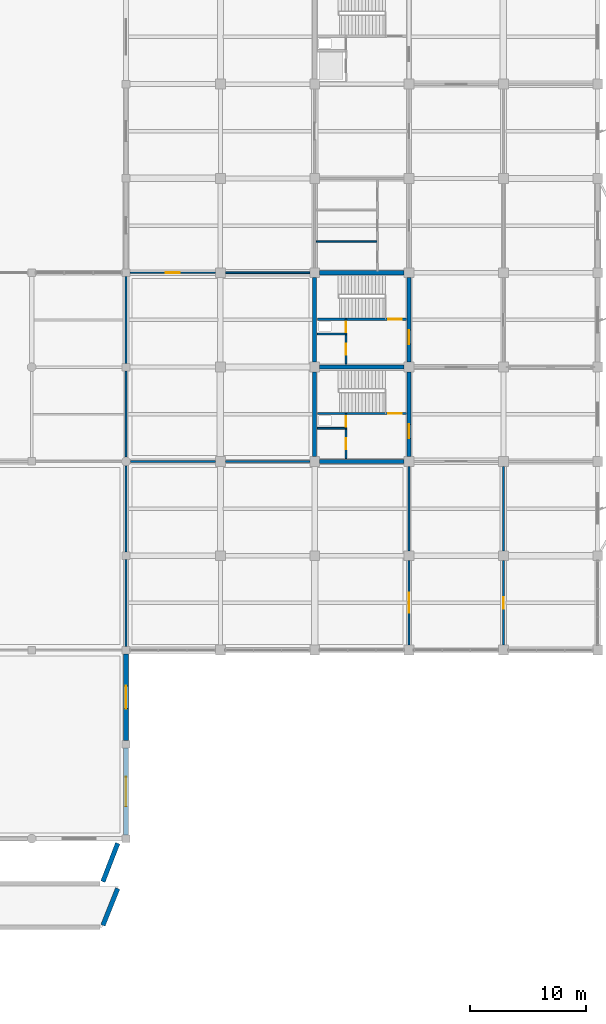
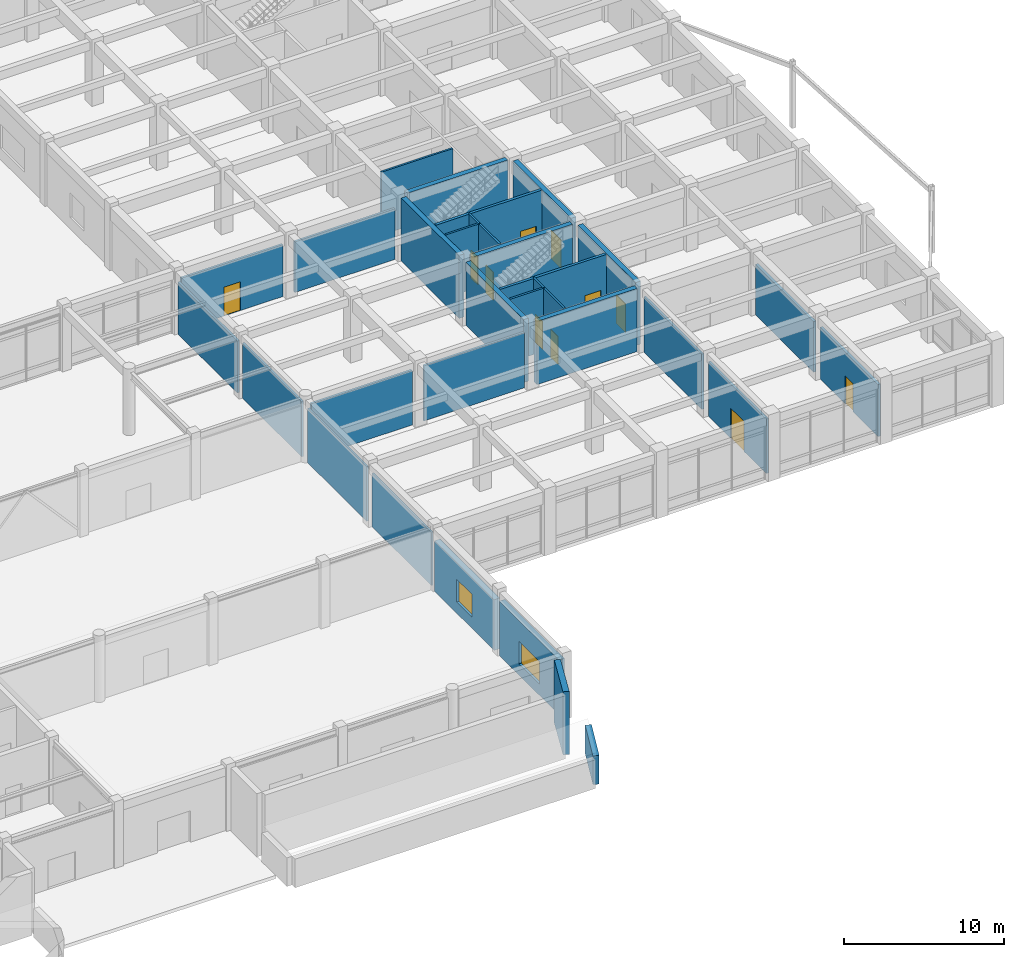
# One storey, part 68 of 99: 32 walls, 11 doors, 2 windows, 13 openings.
"""IFC4 building model written with IfcOpenShell, lengths in metres."""

from ifc_helpers import new_model, si_unit, direction, frame, frame_2d, origin, place, context, subcontext, project, spatial, rectangle, extrude, material, layer, layer_set, type_object, element, fill, save


model = new_model("IFC4")

# Units and contexts
model_context = context("Model", 3, precision=1e-05, world=origin(), true_north=direction((0.0, 1.0)))
body_context = subcontext(model_context, "Body", "Model", "MODEL_VIEW")
ifc_project = project(units=[si_unit("LENGTHUNIT", "METRE"), si_unit("AREAUNIT", "SQUARE_METRE"), si_unit("VOLUMEUNIT", "CUBIC_METRE"), si_unit("PLANEANGLEUNIT", "RADIAN"), si_unit("MASSUNIT", "GRAM", prefix="KILO")], contexts=[model_context])

# Site, building, storey
site_placement = place(None, origin())
site = spatial("IfcSite", under=ifc_project, at=site_placement, CompositionType="ELEMENT")
building_placement = place(site_placement, origin())
building = spatial("IfcBuilding", under=site, at=building_placement, Name="Vaudrelin Polytechnic", CompositionType="ELEMENT")
storey_placement = place(building_placement, origin())
storey = spatial("IfcBuildingStorey", under=building, at=storey_placement, Name="L00", CompositionType="ELEMENT", Elevation=0.0)

# Wall, opening, window
ifc_material_1 = material(Name="Concrete 35 MPa", Category="concrete")
ifc_layer_1 = layer(ifc_material_1, 0.39990234375)
ifc_layer_set_1 = layer_set([ifc_layer_1], Name="Concrete 35 MPa")
wall_type_1 = type_object("IfcWallType", Name="WAL-EW-BERM400", PredefinedType="STANDARD", material=ifc_layer_set_1)
wall_1_placement = place(storey_placement, frame((129.60009765625, 0.322998046875, 0.0), z_axis=(0.0, 0.0, 1.0), x_axis=(0.0, 1.0, 0.0)))
wall_1 = element("IfcWall", 1, at=wall_1_placement, inside=storey, type_object=wall_type_1, Name="Exterior wall L00 E_V3_00", PredefinedType="STANDARD", context=body_context, shape_type="SweptSolid", body=[
    extrude(rectangle(XDim=7.4541015625, YDim=0.39990234375, at=frame_2d((3.72705078125, 0.0))), origin(), (0.0, 0.0, 1.0), 4.172119140625),
])
opening_1_placement = place(wall_1_placement, frame((2.451904296875, 0.0, 0.85009765625)))
opening_1 = element("IfcOpeningElement", 2, at=opening_1_placement, cuts=wall_1, Name="Opening W-L00-E-V3-01", PredefinedType="OPENING", context=body_context, shape_type="SweptSolid", body=[
    extrude(rectangle(XDim=2.550048828125, YDim=1.75, at=frame_2d((1.27490234375, 0.875))), frame((0.0, 0.2099609375, 0.0), z_axis=(0.0, -1.0, 0.0), x_axis=(1.0, 0.0, 0.0)), (0.0, 0.0, 1.0), 0.419921875),
])
ifc_material_2 = material(Name="Thermally broken aluminium frame with triple low-e glazing", Category="aluminium")
window_type_1 = type_object("IfcWindowType", Name="WIN-WN-16", PartitioningType="SINGLE_PANEL", PredefinedType="WINDOW", material=ifc_material_2)
window_1_placement = place(opening_1_placement, origin())
window_1 = element("IfcWindow", 3, at=window_1_placement, inside=storey, type_object=window_type_1, Name="Facade window L00-E_V3_00", OverallHeight=1.75, OverallWidth=2.550048828125, PartitioningType="SINGLE_PANEL", PredefinedType="WINDOW", context=body_context, shape_type="SweptSolid", body=[
    extrude(rectangle(XDim=2.550048828125, YDim=1.75, at=frame_2d((1.27490234375, 0.875))), frame((0.0, 0.030029296875, 0.0), z_axis=(0.0, -1.0, 0.0), x_axis=(1.0, 0.0, 0.0)), (0.0, 0.0, 1.0), 0.06005859375),
])
fill(opening_1, window_1)

wall_2_placement = place(storey_placement, frame((129.60009765625, 8.423095703125, 0.0), z_axis=(0.0, 0.0, 1.0), x_axis=(0.0, 1.0, 0.0)))
wall_2 = element("IfcWall", 4, at=wall_2_placement, inside=storey, type_object=wall_type_1, Name="Exterior wall L00 E_V3_01", PredefinedType="STANDARD", context=body_context, shape_type="SweptSolid", body=[
    extrude(rectangle(XDim=7.453857421875, YDim=0.39990234375, at=frame_2d((3.72705078125, 0.0))), origin(), (0.0, 0.0, 1.0), 3.8720703125),
])
opening_2_placement = place(wall_2_placement, frame((2.751953125, 0.0, 0.85009765625)))
opening_2 = element("IfcOpeningElement", 5, at=opening_2_placement, cuts=wall_2, Name="Opening W-L00-E-V3-02", PredefinedType="OPENING", context=body_context, shape_type="SweptSolid", body=[
    extrude(rectangle(XDim=1.949951171875, YDim=1.75, at=frame_2d((0.97509765625, 0.875))), frame((0.0, 0.2099609375, 0.0), z_axis=(0.0, -1.0, 0.0), x_axis=(1.0, 0.0, 0.0)), (0.0, 0.0, 1.0), 0.419921875),
])
window_type_2 = type_object("IfcWindowType", Name="WIN-WN-17", PartitioningType="SINGLE_PANEL", PredefinedType="WINDOW", material=ifc_material_2)
window_2_placement = place(opening_2_placement, origin())
window_2 = element("IfcWindow", 6, at=window_2_placement, inside=storey, type_object=window_type_2, Name="Facade window L00-E_V3_01", OverallHeight=1.75, OverallWidth=1.949951171875, PartitioningType="SINGLE_PANEL", PredefinedType="WINDOW", context=body_context, shape_type="SweptSolid", body=[
    extrude(rectangle(XDim=1.949951171875, YDim=1.75, at=frame_2d((0.97509765625, 0.875))), frame((0.0, 0.030029296875, 0.0), z_axis=(0.0, -1.0, 0.0), x_axis=(1.0, 0.0, 0.0)), (0.0, 0.0, 1.0), 0.06005859375),
])
fill(opening_2, window_2)

# Wall, opening, door
ifc_material_3 = material(Name="Acoustic double-stud gypsum & mineral-wool partition", Category="gypsum")
ifc_layer_2 = layer(ifc_material_3, 0.179931640625)
ifc_layer_set_2 = layer_set([ifc_layer_2], Name="Acoustic double-stud gypsum & mineral-wool partition")
wall_type_2 = type_object("IfcWallType", Name="WAL-PW-AC180", PredefinedType="PARTITIONING", material=ifc_layer_set_2)
wall_3_placement = place(storey_placement, frame((162.0, 16.623046875, 0.0), z_axis=(0.0, 0.0, 1.0), x_axis=(0.0, 1.0, 0.0)))
wall_3 = element("IfcWall", 7, at=wall_3_placement, inside=storey, type_object=wall_type_2, Name="Partition L00-033 W", PredefinedType="PARTITIONING", context=body_context, shape_type="SweptSolid", body=[
    extrude(rectangle(XDim=7.25390625, YDim=0.179931640625, at=frame_2d((3.626953125, 0.0))), origin(), (0.0, 0.0, 1.0), 3.971923828125),
])
opening_3_placement = place(wall_3_placement, frame((3.126953125, 0.0, 0.0)))
opening_3 = element("IfcOpeningElement", 8, at=opening_3_placement, cuts=wall_3, Name="Opening D-L00-441", PredefinedType="OPENING", context=body_context, shape_type="SweptSolid", body=[
    extrude(rectangle(XDim=1.0, YDim=2.14990234375, at=frame_2d((0.5, 1.074951171875))), frame((0.0, 0.10009765625, 0.0), z_axis=(0.0, -1.0, 0.0), x_axis=(1.0, 0.0, 0.0)), (0.0, 0.0, 1.0), 0.199951171875),
])
ifc_material_4 = material(Name="Solid-core birch veneer acoustic leaf", Category="wood")
door_type_1 = type_object("IfcDoorType", Name="DOR-ID-SEM1", OperationType="NOTDEFINED", PredefinedType="DOOR", material=ifc_material_4)
door_1_placement = place(opening_3_placement, origin())
door_1 = element("IfcDoor", 9, at=door_1_placement, inside=storey, type_object=door_type_1, Name="Seminar Room 003 door L00-033", OperationType="SINGLE_SWING_RIGHT", OverallHeight=2.14990234375, OverallWidth=1.0, PredefinedType="DOOR", context=body_context, shape_type="SweptSolid", body=[
    extrude(rectangle(XDim=1.0, YDim=2.14990234375, at=frame_2d((0.5, 1.074951171875))), frame((0.0, 0.02490234375, 0.0), z_axis=(0.0, -1.0, 0.0), x_axis=(1.0, 0.0, 0.0)), (0.0, 0.0, 1.0), 0.050048828125),
])
fill(opening_3, door_1)

# Wall
wall_4_placement = place(storey_placement, frame((162.0, 24.722900390625, 0.0), z_axis=(0.0, 0.0, 1.0), x_axis=(0.0, 1.0, 0.0)))
element("IfcWall", 10, at=wall_4_placement, inside=storey, type_object=wall_type_2, Name="Partition L00-033 W", PredefinedType="PARTITIONING", context=body_context, shape_type="SweptSolid", body=[
    extrude(rectangle(XDim=7.254150390625, YDim=0.179931640625, at=frame_2d((3.626953125, 0.0))), origin(), (0.0, 0.0, 1.0), 3.8720703125),
])

# Wall, opening, door
ifc_material_5 = material(Name="Fire-rated steel-stud gypsum compartment wall", Category="steel")
ifc_layer_3 = layer(ifc_material_5, 0.14990234375)
ifc_layer_set_3 = layer_set([ifc_layer_3], Name="Fire-rated steel-stud gypsum compartment wall")
wall_type_3 = type_object("IfcWallType", Name="WAL-PW-FIRE60", PredefinedType="PARTITIONING", material=ifc_layer_set_3)
wall_5_placement = place(storey_placement, frame((148.47998046875, 35.25, 0.0), z_axis=(0.0, 0.0, 1.0), x_axis=(0.0, 1.0, 0.0)))
wall_5 = element("IfcWall", 11, at=wall_5_placement, inside=storey, type_object=wall_type_3, Name="Core C8 riser enclosure wall L00", PredefinedType="PARTITIONING", context=body_context, shape_type="SweptSolid", body=[
    extrude(rectangle(XDim=1.260009765625, YDim=0.14990234375, at=frame_2d((0.6298828125, 0.0))), origin(), (0.0, 0.0, 1.0), 4.822021484375),
])
opening_4_placement = place(wall_5_placement, frame((0.139892578125, 0.0, 0.0)))
opening_4 = element("IfcOpeningElement", 12, at=opening_4_placement, cuts=wall_5, Name="Opening D-L00-144", PredefinedType="OPENING", context=body_context, shape_type="SweptSolid", body=[
    extrude(rectangle(XDim=0.89990234375, YDim=2.14990234375, at=frame_2d((0.449951171875, 1.074951171875))), frame((0.0, 0.0849609375, 0.0), z_axis=(0.0, -1.0, 0.0), x_axis=(1.0, 0.0, 0.0)), (0.0, 0.0, 1.0), 0.169921875),
])
ifc_material_6 = material(Name="Pressed galvanised steel acoustic leaf", Category="steel")
door_type_2 = type_object("IfcDoorType", Name="DOR-ID-RSR1", OperationType="NOTDEFINED", PredefinedType="DOOR", material=ifc_material_6)
door_2_placement = place(opening_4_placement, origin())
door_2 = element("IfcDoor", 13, at=door_2_placement, inside=storey, type_object=door_type_2, Name="Core C8 riser access door L00", OperationType="SINGLE_SWING_RIGHT", OverallHeight=2.14990234375, OverallWidth=0.89990234375, PredefinedType="DOOR", context=body_context, shape_type="SweptSolid", body=[
    extrude(rectangle(XDim=0.89990234375, YDim=2.14990234375, at=frame_2d((0.449951171875, 1.074951171875))), frame((0.0, 0.02490234375, 0.0), z_axis=(0.0, -1.0, 0.0), x_axis=(1.0, 0.0, 0.0)), (0.0, 0.0, 1.0), 0.050048828125),
])
fill(opening_4, door_2)

# Wall
wall_6_placement = place(storey_placement, frame((146.02001953125, 35.25, 0.0), z_axis=(0.0, 0.0, 1.0), x_axis=(1.0, 0.0, 0.0)))
element("IfcWall", 14, at=wall_6_placement, inside=storey, type_object=wall_type_3, Name="Core C8 riser south fire wall L00", PredefinedType="PARTITIONING", context=body_context, shape_type="SweptSolid", body=[
    extrude(rectangle(XDim=2.530029296875, YDim=0.14990234375, at=frame_2d((1.26513671875, 0.0))), origin(), (0.0, 0.0, 1.0), 4.822021484375),
])

# Wall, opening, door
wall_7_placement = place(storey_placement, frame((148.47998046875, 32.64990234375, 0.0), z_axis=(0.0, 0.0, 1.0), x_axis=(0.0, 1.0, 0.0)))
wall_7 = element("IfcWall", 15, at=wall_7_placement, inside=storey, type_object=wall_type_3, Name="Core C8 custodial enclosure wall L00", PredefinedType="PARTITIONING", context=body_context, shape_type="SweptSolid", body=[
    extrude(rectangle(XDim=2.60009765625, YDim=0.14990234375, at=frame_2d((1.300048828125, 0.0))), origin(), (0.0, 0.0, 1.0), 4.822021484375),
])
opening_5_placement = place(wall_7_placement, frame((0.800048828125, 0.0, 0.0)))
opening_5 = element("IfcOpeningElement", 16, at=opening_5_placement, cuts=wall_7, Name="Opening D-L00-145", PredefinedType="OPENING", context=body_context, shape_type="SweptSolid", body=[
    extrude(rectangle(XDim=0.949951171875, YDim=2.14990234375, at=frame_2d((0.47509765625, 1.074951171875))), frame((0.0, 0.0849609375, 0.0), z_axis=(0.0, -1.0, 0.0), x_axis=(1.0, 0.0, 0.0)), (0.0, 0.0, 1.0), 0.169921875),
])
door_type_3 = type_object("IfcDoorType", Name="DOR-ID-STR1", OperationType="NOTDEFINED", PredefinedType="DOOR", material=ifc_material_6)
door_3_placement = place(opening_5_placement, origin())
door_3 = element("IfcDoor", 17, at=door_3_placement, inside=storey, type_object=door_type_3, Name="Core C8 custodial door L00", OperationType="SINGLE_SWING_RIGHT", OverallHeight=2.14990234375, OverallWidth=0.949951171875, PredefinedType="DOOR", context=body_context, shape_type="SweptSolid", body=[
    extrude(rectangle(XDim=0.949951171875, YDim=2.14990234375, at=frame_2d((0.47509765625, 1.074951171875))), frame((0.0, 0.02490234375, 0.0), z_axis=(0.0, -1.0, 0.0), x_axis=(1.0, 0.0, 0.0)), (0.0, 0.0, 1.0), 0.050048828125),
])
fill(opening_5, door_3)

wall_8_placement = place(storey_placement, frame((148.47998046875, 43.35009765625, 0.0), z_axis=(0.0, 0.0, 1.0), x_axis=(0.0, 1.0, 0.0)))
wall_8 = element("IfcWall", 18, at=wall_8_placement, inside=storey, type_object=wall_type_3, Name="Core C12 riser enclosure wall L00", PredefinedType="PARTITIONING", context=body_context, shape_type="SweptSolid", body=[
    extrude(rectangle(XDim=1.260009765625, YDim=0.14990234375, at=frame_2d((0.6298828125, 0.0))), origin(), (0.0, 0.0, 1.0), 4.822021484375),
])
opening_6_placement = place(wall_8_placement, frame((0.139892578125, 0.0, 0.0)))
opening_6 = element("IfcOpeningElement", 19, at=opening_6_placement, cuts=wall_8, Name="Opening D-L00-267", PredefinedType="OPENING", context=body_context, shape_type="SweptSolid", body=[
    extrude(rectangle(XDim=0.89990234375, YDim=2.14990234375, at=frame_2d((0.449951171875, 1.074951171875))), frame((0.0, 0.0849609375, 0.0), z_axis=(0.0, -1.0, 0.0), x_axis=(1.0, 0.0, 0.0)), (0.0, 0.0, 1.0), 0.169921875),
])
door_4_placement = place(opening_6_placement, origin())
door_4 = element("IfcDoor", 20, at=door_4_placement, inside=storey, type_object=door_type_2, Name="Core C12 riser access door L00", OperationType="SINGLE_SWING_RIGHT", OverallHeight=2.14990234375, OverallWidth=0.89990234375, PredefinedType="DOOR", context=body_context, shape_type="SweptSolid", body=[
    extrude(rectangle(XDim=0.89990234375, YDim=2.14990234375, at=frame_2d((0.449951171875, 1.074951171875))), frame((0.0, 0.02490234375, 0.0), z_axis=(0.0, -1.0, 0.0), x_axis=(1.0, 0.0, 0.0)), (0.0, 0.0, 1.0), 0.050048828125),
])
fill(opening_6, door_4)

# Wall
wall_9_placement = place(storey_placement, frame((146.02001953125, 43.35009765625, 0.0), z_axis=(0.0, 0.0, 1.0), x_axis=(1.0, 0.0, 0.0)))
element("IfcWall", 21, at=wall_9_placement, inside=storey, type_object=wall_type_3, Name="Core C12 riser south fire wall L00", PredefinedType="PARTITIONING", context=body_context, shape_type="SweptSolid", body=[
    extrude(rectangle(XDim=2.530029296875, YDim=0.14990234375, at=frame_2d((1.26513671875, 0.0))), origin(), (0.0, 0.0, 1.0), 4.822021484375),
])

# Wall, opening, door
wall_10_placement = place(storey_placement, frame((148.47998046875, 40.75, 0.0), z_axis=(0.0, 0.0, 1.0), x_axis=(0.0, 1.0, 0.0)))
wall_10 = element("IfcWall", 22, at=wall_10_placement, inside=storey, type_object=wall_type_3, Name="Core C12 custodial enclosure wall L00", PredefinedType="PARTITIONING", context=body_context, shape_type="SweptSolid", body=[
    extrude(rectangle(XDim=2.60009765625, YDim=0.14990234375, at=frame_2d((1.300048828125, 0.0))), origin(), (0.0, 0.0, 1.0), 4.822021484375),
])
opening_7_placement = place(wall_10_placement, frame((0.800048828125, 0.0, 0.0)))
opening_7 = element("IfcOpeningElement", 23, at=opening_7_placement, cuts=wall_10, Name="Opening D-L00-268", PredefinedType="OPENING", context=body_context, shape_type="SweptSolid", body=[
    extrude(rectangle(XDim=0.949951171875, YDim=2.14990234375, at=frame_2d((0.47509765625, 1.074951171875))), frame((0.0, 0.0849609375, 0.0), z_axis=(0.0, -1.0, 0.0), x_axis=(1.0, 0.0, 0.0)), (0.0, 0.0, 1.0), 0.169921875),
])
door_5_placement = place(opening_7_placement, origin())
door_5 = element("IfcDoor", 24, at=door_5_placement, inside=storey, type_object=door_type_3, Name="Core C12 custodial door L00", OperationType="SINGLE_SWING_RIGHT", OverallHeight=2.14990234375, OverallWidth=0.949951171875, PredefinedType="DOOR", context=body_context, shape_type="SweptSolid", body=[
    extrude(rectangle(XDim=0.949951171875, YDim=2.14990234375, at=frame_2d((0.47509765625, 1.074951171875))), frame((0.0, 0.02490234375, 0.0), z_axis=(0.0, -1.0, 0.0), x_axis=(1.0, 0.0, 0.0)), (0.0, 0.0, 1.0), 0.050048828125),
])
fill(opening_7, door_5)

ifc_material_7 = material(Name="Moisture- and chemical-resistant laboratory partition", Category="gypsum")
ifc_layer_4 = layer(ifc_material_7, 0.159912109375)
ifc_layer_set_4 = layer_set([ifc_layer_4], Name="Moisture- and chemical-resistant laboratory partition")
wall_type_4 = type_object("IfcWallType", Name="WAL-PW-LAB160", PredefinedType="PARTITIONING", material=ifc_layer_set_4)
wall_11_placement = place(storey_placement, frame((153.89990234375, 16.623046875, 0.0), z_axis=(0.0, 0.0, 1.0), x_axis=(0.0, 1.0, 0.0)))
wall_11 = element("IfcWall", 25, at=wall_11_placement, inside=storey, type_object=wall_type_4, Name="Partition L00-020 E", PredefinedType="PARTITIONING", context=body_context, shape_type="SweptSolid", body=[
    extrude(rectangle(XDim=7.25390625, YDim=0.159912109375, at=frame_2d((3.626953125, 0.0))), origin(), (0.0, 0.0, 1.0), 4.172119140625),
])
opening_8_placement = place(wall_11_placement, frame((2.76708984375, 0.0, 0.0)))
opening_8 = element("IfcOpeningElement", 26, at=opening_8_placement, cuts=wall_11, Name="Opening D-L00-435", PredefinedType="OPENING", context=body_context, shape_type="SweptSolid", body=[
    extrude(rectangle(XDim=1.719970703125, YDim=2.300048828125, at=frame_2d((0.85986328125, 1.14990234375))), frame((0.0, 0.08984375, 0.0), z_axis=(0.0, -1.0, 0.0), x_axis=(1.0, 0.0, 0.0)), (0.0, 0.0, 1.0), 0.179931640625),
])
door_type_4 = type_object("IfcDoorType", Name="DOR-ID-LAB5", OperationType="NOTDEFINED", PredefinedType="DOOR", material=ifc_material_6)
door_6_placement = place(opening_8_placement, origin())
door_6 = element("IfcDoor", 27, at=door_6_placement, inside=storey, type_object=door_type_4, Name="Fluid Mechanics and Hydraulics Laboratory door L00-020", OperationType="DOUBLE_SWING_LEFT", OverallHeight=2.300048828125, OverallWidth=1.719970703125, PredefinedType="DOOR", context=body_context, shape_type="SweptSolid", body=[
    extrude(rectangle(XDim=1.719970703125, YDim=2.300048828125, at=frame_2d((0.85986328125, 1.14990234375))), frame((0.0, 0.02490234375, 0.0), z_axis=(0.0, -1.0, 0.0), x_axis=(1.0, 0.0, 0.0)), (0.0, 0.0, 1.0), 0.050048828125),
])
fill(opening_8, door_6)

# Walls
wall_12_placement = place(storey_placement, frame((153.89990234375, 24.722900390625, 0.0), z_axis=(0.0, 0.0, 1.0), x_axis=(0.0, 1.0, 0.0)))
element("IfcWall", 28, at=wall_12_placement, inside=storey, type_object=wall_type_4, Name="Partition L00-020 E", PredefinedType="PARTITIONING", context=body_context, shape_type="SweptSolid", body=[
    extrude(rectangle(XDim=7.254150390625, YDim=0.159912109375, at=frame_2d((3.626953125, 0.0))), origin(), (0.0, 0.0, 1.0), 4.221923828125),
])
wall_13_placement = place(storey_placement, frame((129.972900390625, 32.39990234375, 0.0), z_axis=(0.0, 0.0, 1.0), x_axis=(1.0, 0.0, 0.0)))
element("IfcWall", 29, at=wall_13_placement, inside=storey, type_object=wall_type_4, Name="Partition L00-020 N", PredefinedType="PARTITIONING", context=body_context, shape_type="SweptSolid", body=[
    extrude(rectangle(XDim=7.30419921875, YDim=0.159912109375, at=frame_2d((3.652099609375, 0.0))), origin(), (0.0, 0.0, 1.0), 4.172119140625),
])
wall_14_placement = place(storey_placement, frame((138.123046875, 32.39990234375, 0.0), z_axis=(0.0, 0.0, 1.0), x_axis=(1.0, 0.0, 0.0)))
element("IfcWall", 30, at=wall_14_placement, inside=storey, type_object=wall_type_4, Name="Partition L00-020 N", PredefinedType="PARTITIONING", context=body_context, shape_type="SweptSolid", body=[
    extrude(rectangle(XDim=7.25390625, YDim=0.159912109375, at=frame_2d((3.626953125, 0.0))), origin(), (0.0, 0.0, 1.0), 4.221923828125),
])

# Wall, opening, door
wall_15_placement = place(storey_placement, frame((129.923095703125, 48.60009765625, 0.0), z_axis=(0.0, 0.0, 1.0), x_axis=(1.0, 0.0, 0.0)))
wall_15 = element("IfcWall", 31, at=wall_15_placement, inside=storey, type_object=wall_type_4, Name="Partition L00-021 N", PredefinedType="PARTITIONING", context=body_context, shape_type="SweptSolid", body=[
    extrude(rectangle(XDim=7.35400390625, YDim=0.159912109375, at=frame_2d((3.677001953125, 0.0))), origin(), (0.0, 0.0, 1.0), 3.971923828125),
])
opening_9_placement = place(wall_15_placement, frame((3.076904296875, 0.0, 0.0)))
opening_9 = element("IfcOpeningElement", 32, at=opening_9_placement, cuts=wall_15, Name="Opening D-L00-436", PredefinedType="OPENING", context=body_context, shape_type="SweptSolid", body=[
    extrude(rectangle(XDim=1.199951171875, YDim=2.199951171875, at=frame_2d((0.60009765625, 1.10009765625))), frame((0.0, 0.08984375, 0.0), z_axis=(0.0, -1.0, 0.0), x_axis=(1.0, 0.0, 0.0)), (0.0, 0.0, 1.0), 0.179931640625),
])
door_type_5 = type_object("IfcDoorType", Name="DOR-ID-LAB2", OperationType="NOTDEFINED", PredefinedType="DOOR", material=ifc_material_6)
door_7_placement = place(opening_9_placement, origin())
door_7 = element("IfcDoor", 33, at=door_7_placement, inside=storey, type_object=door_type_5, Name="Hydraulics Instrumentation Room door L00-021", OperationType="SINGLE_SWING_RIGHT", OverallHeight=2.199951171875, OverallWidth=1.199951171875, PredefinedType="DOOR", context=body_context, shape_type="SweptSolid", body=[
    extrude(rectangle(XDim=1.199951171875, YDim=2.199951171875, at=frame_2d((0.60009765625, 1.10009765625))), frame((0.0, 0.02490234375, 0.0), z_axis=(0.0, -1.0, 0.0), x_axis=(1.0, 0.0, 0.0)), (0.0, 0.0, 1.0), 0.050048828125),
])
fill(opening_9, door_7)

# Walls
wall_16_placement = place(storey_placement, frame((138.123046875, 48.60009765625, 0.0), z_axis=(0.0, 0.0, 1.0), x_axis=(1.0, 0.0, 0.0)))
element("IfcWall", 34, at=wall_16_placement, inside=storey, type_object=wall_type_4, Name="Partition L00-021 N", PredefinedType="PARTITIONING", context=body_context, shape_type="SweptSolid", body=[
    extrude(rectangle(XDim=7.25390625, YDim=0.159912109375, at=frame_2d((3.626953125, 0.0))), origin(), (0.0, 0.0, 1.0), 3.8720703125),
])
wall_17_placement = place(storey_placement, frame((129.60009765625, 32.77294921875, 0.0), z_axis=(0.0, 0.0, 1.0), x_axis=(0.0, 1.0, 0.0)))
element("IfcWall", 35, at=wall_17_placement, inside=storey, type_object=wall_type_4, Name="Partition L00-021 W", PredefinedType="PARTITIONING", context=body_context, shape_type="SweptSolid", body=[
    extrude(rectangle(XDim=7.404052734375, YDim=0.159912109375, at=frame_2d((3.7021484375, 0.0))), origin(), (0.0, 0.0, 1.0), 4.221923828125),
])
wall_18_placement = place(storey_placement, frame((129.60009765625, 40.822998046875, 0.0), z_axis=(0.0, 0.0, 1.0), x_axis=(0.0, 1.0, 0.0)))
element("IfcWall", 36, at=wall_18_placement, inside=storey, type_object=wall_type_4, Name="Partition L00-021 W", PredefinedType="PARTITIONING", context=body_context, shape_type="SweptSolid", body=[
    extrude(rectangle(XDim=7.4541015625, YDim=0.159912109375, at=frame_2d((3.72705078125, 0.0))), origin(), (0.0, 0.0, 1.0), 3.971923828125),
])
ifc_material_8 = material(Name="Acoustic steel-stud office & study room partition", Category="steel")
ifc_layer_5 = layer(ifc_material_8, 0.135009765625)
ifc_layer_set_5 = layer_set([ifc_layer_5], Name="Acoustic steel-stud office & study room partition")
wall_type_5 = type_object("IfcWallType", Name="WAL-PW-OFF135", PredefinedType="PARTITIONING", material=ifc_layer_set_5)
wall_19_placement = place(storey_placement, frame((129.60009765625, 16.52294921875, 0.0), z_axis=(0.0, 0.0, 1.0), x_axis=(0.0, 1.0, 0.0)))
element("IfcWall", 37, at=wall_19_placement, inside=storey, type_object=wall_type_5, Name="Partition L00-011 E", PredefinedType="PARTITIONING", context=body_context, shape_type="SweptSolid", body=[
    extrude(rectangle(XDim=7.4541015625, YDim=0.135009765625, at=frame_2d((3.72705078125, 0.0))), origin(), (0.0, 0.0, 1.0), 4.072021484375),
])
wall_20_placement = place(storey_placement, frame((129.60009765625, 24.623046875, 0.0), z_axis=(0.0, 0.0, 1.0), x_axis=(0.0, 1.0, 0.0)))
element("IfcWall", 38, at=wall_20_placement, inside=storey, type_object=wall_type_5, Name="Partition L00-011 E", PredefinedType="PARTITIONING", context=body_context, shape_type="SweptSolid", body=[
    extrude(rectangle(XDim=7.404052734375, YDim=0.135009765625, at=frame_2d((3.7021484375, 0.0))), origin(), (0.0, 0.0, 1.0), 4.172119140625),
])
ifc_material_9 = material(Name="Cement-board tiled wet-wall washroom partition", Category="gypsum")
ifc_layer_6 = layer(ifc_material_9, 0.139892578125)
ifc_layer_set_6 = layer_set([ifc_layer_6], Name="Cement-board tiled wet-wall washroom partition")
wall_type_6 = type_object("IfcWallType", Name="WAL-PW-WC140", PredefinedType="PARTITIONING", material=ifc_layer_set_6)
wall_21_placement = place(storey_placement, frame((145.949951171875, 51.300048828125, 0.0), z_axis=(0.0, 0.0, 1.0), x_axis=(1.0, 0.0, 0.0)))
element("IfcWall", 39, at=wall_21_placement, inside=storey, type_object=wall_type_6, Name="Washroom separation wall L00-18-6-1", PredefinedType="PARTITIONING", context=body_context, shape_type="SweptSolid", body=[
    extrude(rectangle(XDim=5.179931640625, YDim=0.139892578125, at=frame_2d((2.58984375, 0.0))), origin(), (0.0, 0.0, 1.0), 4.822021484375),
])

# Wall, opening, door
ifc_material_10 = material(Name="Concrete 40 MPa", Category="concrete")
ifc_layer_7 = layer(ifc_material_10, 0.199951171875)
ifc_layer_set_7 = layer_set([ifc_layer_7], Name="Concrete 40 MPa")
wall_type_7 = type_object("IfcWallType", Name="WAL-SW-CORE200", PredefinedType="SHEAR", material=ifc_layer_set_7)
wall_22_placement = place(storey_placement, frame((146.02001953125, 36.510009765625, 0.0), z_axis=(0.0, 0.0, 1.0), x_axis=(1.0, 0.0, 0.0)))
wall_22 = element("IfcWall", 40, at=wall_22_placement, inside=storey, type_object=wall_type_7, Name="Core C8 stair enclosure wall L00", PredefinedType="SHEAR", context=body_context, shape_type="SweptSolid", body=[
    extrude(rectangle(XDim=7.659912109375, YDim=0.199951171875, at=frame_2d((3.830078125, 0.0))), origin(), (0.0, 0.0, 1.0), 4.822021484375),
])
opening_10_placement = place(wall_22_placement, frame((6.110107421875, 0.0, 0.0)))
opening_10 = element("IfcOpeningElement", 41, at=opening_10_placement, cuts=wall_22, Name="Opening D-L00-143", PredefinedType="OPENING", context=body_context, shape_type="SweptSolid", body=[
    extrude(rectangle(XDim=1.14990234375, YDim=2.199951171875, at=frame_2d((0.574951171875, 1.10009765625))), frame((0.0, 0.10986328125, 0.0), z_axis=(0.0, -1.0, 0.0), x_axis=(1.0, 0.0, 0.0)), (0.0, 0.0, 1.0), 0.219970703125),
])
door_type_6 = type_object("IfcDoorType", Name="DOR-ID-ST1", OperationType="NOTDEFINED", PredefinedType="DOOR", material=ifc_material_6)
door_8_placement = place(opening_10_placement, origin())
door_8 = element("IfcDoor", 42, at=door_8_placement, inside=storey, type_object=door_type_6, Name="Core C8 exit stair door L00", OperationType="SINGLE_SWING_LEFT", OverallHeight=2.199951171875, OverallWidth=1.14990234375, PredefinedType="DOOR", context=body_context, shape_type="SweptSolid", body=[
    extrude(rectangle(XDim=1.14990234375, YDim=2.199951171875, at=frame_2d((0.574951171875, 1.10009765625))), frame((0.0, 0.02490234375, 0.0), z_axis=(0.0, -1.0, 0.0), x_axis=(1.0, 0.0, 0.0)), (0.0, 0.0, 1.0), 0.050048828125),
])
fill(opening_10, door_8)

wall_23_placement = place(storey_placement, frame((146.02001953125, 44.610107421875, 0.0), z_axis=(0.0, 0.0, 1.0), x_axis=(1.0, 0.0, 0.0)))
wall_23 = element("IfcWall", 43, at=wall_23_placement, inside=storey, type_object=wall_type_7, Name="Core C12 stair enclosure wall L00", PredefinedType="SHEAR", context=body_context, shape_type="SweptSolid", body=[
    extrude(rectangle(XDim=7.659912109375, YDim=0.199951171875, at=frame_2d((3.830078125, 0.0))), origin(), (0.0, 0.0, 1.0), 4.822021484375),
])
opening_11_placement = place(wall_23_placement, frame((6.110107421875, 0.0, 0.0)))
opening_11 = element("IfcOpeningElement", 44, at=opening_11_placement, cuts=wall_23, Name="Opening D-L00-266", PredefinedType="OPENING", context=body_context, shape_type="SweptSolid", body=[
    extrude(rectangle(XDim=1.14990234375, YDim=2.199951171875, at=frame_2d((0.574951171875, 1.10009765625))), frame((0.0, 0.10986328125, 0.0), z_axis=(0.0, -1.0, 0.0), x_axis=(1.0, 0.0, 0.0)), (0.0, 0.0, 1.0), 0.219970703125),
])
door_9_placement = place(opening_11_placement, origin())
door_9 = element("IfcDoor", 45, at=door_9_placement, inside=storey, type_object=door_type_6, Name="Core C12 exit stair door L00", OperationType="SINGLE_SWING_LEFT", OverallHeight=2.199951171875, OverallWidth=1.14990234375, PredefinedType="DOOR", context=body_context, shape_type="SweptSolid", body=[
    extrude(rectangle(XDim=1.14990234375, YDim=2.199951171875, at=frame_2d((0.574951171875, 1.10009765625))), frame((0.0, 0.02490234375, 0.0), z_axis=(0.0, -1.0, 0.0), x_axis=(1.0, 0.0, 0.0)), (0.0, 0.0, 1.0), 0.050048828125),
])
fill(opening_11, door_9)

# Walls
ifc_material_11 = material(Name="Concrete 50 MPa", Category="concrete")
ifc_layer_8 = layer(ifc_material_11, 0.35009765625)
ifc_layer_set_8 = layer_set([ifc_layer_8], Name="Concrete 50 MPa")
wall_type_8 = type_object("IfcWallType", Name="WAL-SW-CORE350", PredefinedType="SHEAR", material=ifc_layer_set_8)
wall_24_placement = place(storey_placement, frame((146.222900390625, 40.5, 0.0), z_axis=(0.0, 0.0, 1.0), x_axis=(1.0, 0.0, 0.0)))
element("IfcWall", 46, at=wall_24_placement, inside=storey, type_object=wall_type_8, Name="Core C8 N shear wall L00", PredefinedType="SHEAR", context=body_context, shape_type="SweptSolid", body=[
    extrude(rectangle(XDim=7.254150390625, YDim=0.35009765625, at=frame_2d((3.626953125, 0.0))), origin(), (0.0, 0.0, 1.0), 4.822021484375),
])
wall_25_placement = place(storey_placement, frame((145.800048828125, 32.822998046875, 0.0), z_axis=(0.0, 0.0, 1.0), x_axis=(0.0, 1.0, 0.0)))
element("IfcWall", 47, at=wall_25_placement, inside=storey, type_object=wall_type_8, Name="Core C8 W shear wall L00", PredefinedType="SHEAR", context=body_context, shape_type="SweptSolid", body=[
    extrude(rectangle(XDim=7.25390625, YDim=0.35009765625, at=frame_2d((3.626953125, 0.0))), origin(), (0.0, 0.0, 1.0), 4.822021484375),
])

# Wall, opening, door
wall_26_placement = place(storey_placement, frame((153.89990234375, 32.822998046875, 0.0), z_axis=(0.0, 0.0, 1.0), x_axis=(0.0, 1.0, 0.0)))
wall_26 = element("IfcWall", 48, at=wall_26_placement, inside=storey, type_object=wall_type_8, Name="Core C8 E shear wall L00", PredefinedType="SHEAR", context=body_context, shape_type="SweptSolid", body=[
    extrude(rectangle(XDim=7.25390625, YDim=0.35009765625, at=frame_2d((3.626953125, 0.0))), origin(), (0.0, 0.0, 1.0), 4.822021484375),
])
opening_12_placement = place(wall_26_placement, frame((2.75, 0.0, 0.0), z_axis=(0.0, 0.0, 1.0), x_axis=(-1.0, 0.0, 0.0)))
opening_12 = element("IfcOpeningElement", 49, at=opening_12_placement, cuts=wall_26, Name="Opening D-L00-142", PredefinedType="OPENING", context=body_context, shape_type="SweptSolid", body=[
    extrude(rectangle(XDim=1.199951171875, YDim=2.199951171875, at=frame_2d((0.60009765625, 1.10009765625))), frame((0.0, 0.18505859375, 0.0), z_axis=(0.0, -1.0, 0.0), x_axis=(1.0, 0.0, 0.0)), (0.0, 0.0, 1.0), 0.3701171875),
])
door_type_7 = type_object("IfcDoorType", Name="DOR-ID-LB1", OperationType="NOTDEFINED", PredefinedType="DOOR", material=ifc_material_6)
door_10_placement = place(opening_12_placement, origin())
door_10 = element("IfcDoor", 50, at=door_10_placement, inside=storey, type_object=door_type_7, Name="Core C8 lobby fire door L00", OperationType="SINGLE_SWING_RIGHT", OverallHeight=2.199951171875, OverallWidth=1.199951171875, PredefinedType="DOOR", context=body_context, shape_type="SweptSolid", body=[
    extrude(rectangle(XDim=1.199951171875, YDim=2.199951171875, at=frame_2d((0.60009765625, 1.10009765625))), frame((0.0, 0.02490234375, 0.0), z_axis=(0.0, -1.0, 0.0), x_axis=(1.0, 0.0, 0.0)), (0.0, 0.0, 1.0), 0.050048828125),
])
fill(opening_12, door_10)

# Walls
for number, where, z_axis, x_axis, name in (
    (51, (146.222900390625, 32.39990234375, 0.0), (0.0, 0.0, 1.0), (1.0, 0.0, 0.0), "Core C8 S shear wall L00"),
    (52, (146.222900390625, 48.60009765625, 0.0), (0.0, 0.0, 1.0), (1.0, 0.0, 0.0), "Core C12 N shear wall L00"),
):
    element("IfcWall", number, at=place(storey_placement, frame(where, z_axis=z_axis, x_axis=x_axis)), inside=storey, type_object=wall_type_8, Name=name, PredefinedType="SHEAR", context=body_context, shape_type="SweptSolid", body=[
        extrude(rectangle(XDim=7.254150390625, YDim=0.35009765625, at=frame_2d((3.626953125, 0.0))), origin(), (0.0, 0.0, 1.0), 4.822021484375),
    ])
wall_27_placement = place(storey_placement, frame((145.800048828125, 40.923095703125, 0.0), z_axis=(0.0, 0.0, 1.0), x_axis=(0.0, 1.0, 0.0)))
element("IfcWall", 53, at=wall_27_placement, inside=storey, type_object=wall_type_8, Name="Core C12 W shear wall L00", PredefinedType="SHEAR", context=body_context, shape_type="SweptSolid", body=[
    extrude(rectangle(XDim=7.25390625, YDim=0.35009765625, at=frame_2d((3.626953125, 0.0))), origin(), (0.0, 0.0, 1.0), 4.822021484375),
])

# Wall, opening, door
wall_28_placement = place(storey_placement, frame((153.89990234375, 40.923095703125, 0.0), z_axis=(0.0, 0.0, 1.0), x_axis=(0.0, 1.0, 0.0)))
wall_28 = element("IfcWall", 54, at=wall_28_placement, inside=storey, type_object=wall_type_8, Name="Core C12 E shear wall L00", PredefinedType="SHEAR", context=body_context, shape_type="SweptSolid", body=[
    extrude(rectangle(XDim=7.25390625, YDim=0.35009765625, at=frame_2d((3.626953125, 0.0))), origin(), (0.0, 0.0, 1.0), 4.822021484375),
])
opening_13_placement = place(wall_28_placement, frame((2.75, 0.0, 0.0), z_axis=(0.0, 0.0, 1.0), x_axis=(-1.0, 0.0, 0.0)))
opening_13 = element("IfcOpeningElement", 55, at=opening_13_placement, cuts=wall_28, Name="Opening D-L00-265", PredefinedType="OPENING", context=body_context, shape_type="SweptSolid", body=[
    extrude(rectangle(XDim=1.199951171875, YDim=2.199951171875, at=frame_2d((0.60009765625, 1.10009765625))), frame((0.0, 0.18505859375, 0.0), z_axis=(0.0, -1.0, 0.0), x_axis=(1.0, 0.0, 0.0)), (0.0, 0.0, 1.0), 0.3701171875),
])
door_11_placement = place(opening_13_placement, origin())
door_11 = element("IfcDoor", 56, at=door_11_placement, inside=storey, type_object=door_type_7, Name="Core C12 lobby fire door L00", OperationType="SINGLE_SWING_LEFT", OverallHeight=2.199951171875, OverallWidth=1.199951171875, PredefinedType="DOOR", context=body_context, shape_type="SweptSolid", body=[
    extrude(rectangle(XDim=1.199951171875, YDim=2.199951171875, at=frame_2d((0.60009765625, 1.10009765625))), frame((0.0, 0.02490234375, 0.0), z_axis=(0.0, -1.0, 0.0), x_axis=(1.0, 0.0, 0.0)), (0.0, 0.0, 1.0), 0.050048828125),
])
fill(opening_13, door_11)

# Walls
ifc_layer_9 = layer(ifc_material_10, 0.39990234375)
ifc_layer_set_9 = layer_set([ifc_layer_9], Name="Concrete 40 MPa")
wall_type_9 = type_object("IfcWallType", Name="WAL-SW-RET400", PredefinedType="SOLIDWALL", material=ifc_layer_set_9)
wall_29_placement = place(storey_placement, frame((127.616943359375, -7.432861328125, 0.0), z_axis=(0.0, 0.0, 1.0), x_axis=(0.371341293368, 0.928496442556, 0.0)))
element("IfcWall", 57, at=wall_29_placement, inside=storey, type_object=wall_type_9, Name="Green-hill stone retaining wall EAST-1.2", PredefinedType="SOLIDWALL", context=body_context, shape_type="SweptSolid", body=[
    extrude(rectangle(XDim=3.40966796875, YDim=0.39990234375, at=frame_2d((1.704833984375, 0.0))), origin(), (0.0, 0.0, 1.0), 2.19189453125),
])
wall_30_placement = place(storey_placement, frame((127.61474609375, -3.68212890625, 0.0), z_axis=(0.0, 0.0, 1.0), x_axis=(0.359845411331, 0.933011939872, 0.0)))
element("IfcWall", 58, at=wall_30_placement, inside=storey, type_object=wall_type_9, Name="Green-hill stone retaining wall EAST-2.2", PredefinedType="SOLIDWALL", context=body_context, shape_type="SweptSolid", body=[
    extrude(rectangle(XDim=3.53076171875, YDim=0.39990234375, at=frame_2d((1.765380859375, 0.0))), origin(), (0.0, 0.0, 1.0), 4.822021484375),
])

save(model, "model.ifc")
